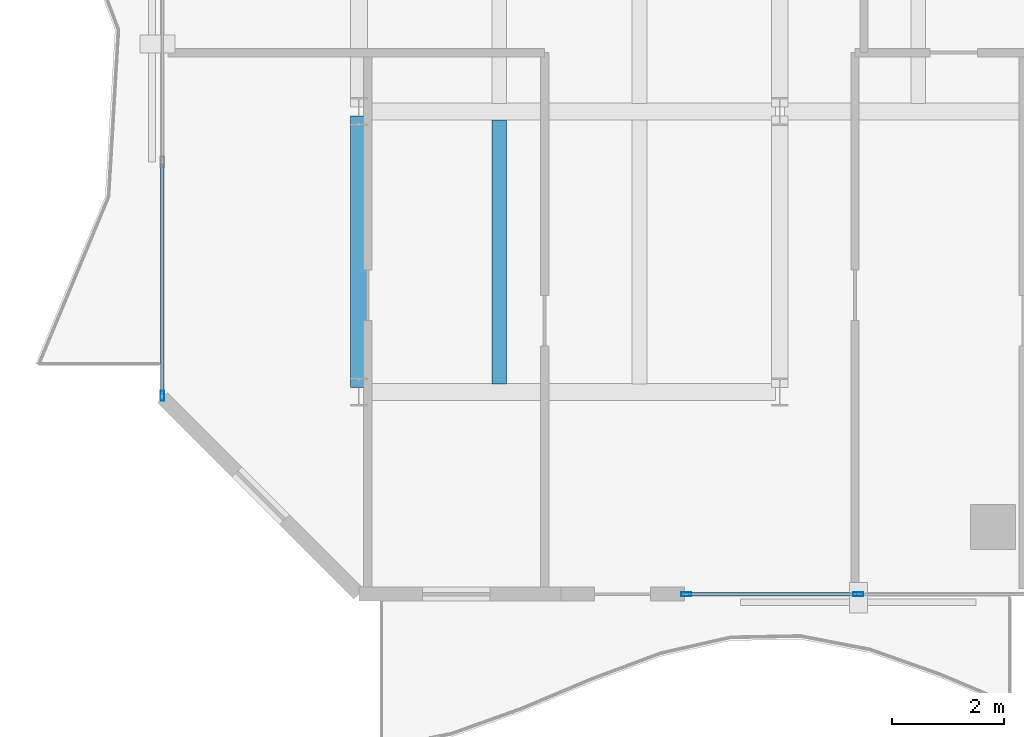
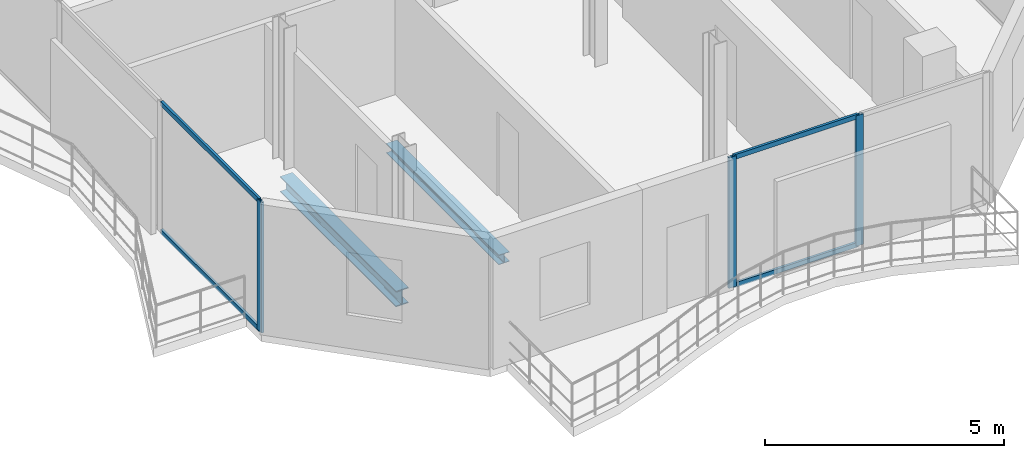
# One storey, part 3 of 23: 7 members, 2 beams, 2 elements without a shape of their own.
"""IFC4 building model written with IfcOpenShell, lengths in metres."""

from ifc_helpers import new_model, si_unit, direction, frame, origin, origin_2d, place, context, subcontext, project, spatial, hollow_rectangle, i_section, extrude, material, layer, layer_set, material_profile, profile_set, type_object, element, aggregate, save


model = new_model("IFC4")

# Units and contexts
model_context = context("Model", 3, precision=1e-05, world=origin(), true_north=direction((0.0, 1.0)))
body_context = subcontext(model_context, "Body", "Model", "MODEL_VIEW")
ifc_project = project(units=[si_unit("LENGTHUNIT", "METRE"), si_unit("AREAUNIT", "SQUARE_METRE"), si_unit("VOLUMEUNIT", "CUBIC_METRE"), si_unit("PLANEANGLEUNIT", "RADIAN"), si_unit("MASSUNIT", "GRAM", prefix="KILO")], contexts=[model_context])

# Site, building, storey
site_placement = place(None, origin())
site = spatial("IfcSite", under=ifc_project, at=site_placement, CompositionType="ELEMENT")
building_placement = place(site_placement, origin())
building = spatial("IfcBuilding", under=site, at=building_placement, Name="Catumbela Crestline Tower", CompositionType="ELEMENT")
storey_placement = place(building_placement, frame((0.0, 0.0, 190.2)))
storey = spatial("IfcBuildingStorey", under=building, at=storey_placement, Name="L49", CompositionType="ELEMENT", Elevation=190.2)

# Beams
ifc_material_1 = material(Name="Structural steel S355J2", Category="steel")
ifc_material_profile_1 = material_profile(ifc_material_1, i_section(OverallWidth=0.3, OverallDepth=0.4, WebThickness=0.0135, FlangeThickness=0.024, FilletRadius=0.027, at=origin_2d()), Name="HEB 400")
ifc_profile_set_1 = profile_set([ifc_material_profile_1], Name="Structural steel S355J2")
beam_type_1 = type_object("IfcBeamType", Name="BG-HEB400", PredefinedType="BEAM", material=ifc_profile_set_1)
beam_1_placement = place(storey_placement, frame((8.5, 8.68, -0.46), z_axis=(0.0, 1.0, 0.0), x_axis=(-1.0, 0.0, 0.0)))
element("IfcBeam", 1, at=beam_1_placement, inside=storey, type_object=beam_type_1, Name="L49 Beam BM-L49-WNS37", PredefinedType="BEAM", context=body_context, shape_type="SweptSolid", body=[
    extrude(i_section(OverallWidth=0.3, OverallDepth=0.4, WebThickness=0.0135, FlangeThickness=0.024, FilletRadius=0.027, at=origin_2d()), origin(), (0.0, 0.0, 1.0), 4.84),
])
ifc_material_profile_2 = material_profile(ifc_material_1, i_section(OverallWidth=0.26, OverallDepth=0.25, WebThickness=0.0075, FlangeThickness=0.0125, FilletRadius=0.024, at=origin_2d()), Name="HEA 260")
ifc_profile_set_2 = profile_set([ifc_material_profile_2], Name="Structural steel S355J2")
beam_type_2 = type_object("IfcBeamType", Name="BJ-HEA260", PredefinedType="JOIST", material=ifc_profile_set_2)
beam_2_placement = place(storey_placement, frame((11.0, 8.747, -0.385), z_axis=(0.0, 1.0, 0.0), x_axis=(-1.0, 0.0, 0.0)))
element("IfcBeam", 2, at=beam_2_placement, inside=storey, type_object=beam_type_2, Name="L49 Joist JS-L49-WG44", PredefinedType="JOIST", context=body_context, shape_type="SweptSolid", body=[
    extrude(i_section(OverallWidth=0.26, OverallDepth=0.25, WebThickness=0.0075, FlangeThickness=0.0125, FilletRadius=0.024, at=origin_2d()), origin(), (0.0, 0.0, 1.0), 4.706),
])

# Curtain wall, members
ifc_material_2 = material(Name="Aluminium alloy AW-6060-T66", Category="aluminium")
ifc_layer = layer(ifc_material_2, 0.18, Name="Aluminium alloy AW-6060-T66")
ifc_layer_set = layer_set([ifc_layer], Name="Aluminium alloy AW-6060-T66")
curtain_wall_type = type_object("IfcCurtainWallType", Name="CWU-Z3", PredefinedType="USERDEFINED", material=ifc_layer_set)
curtain_wall_1_placement = place(storey_placement, origin())
curtain_wall_1 = element("IfcCurtainWall", 3, at=curtain_wall_1_placement, inside=storey, type_object=curtain_wall_type, Name="L49 Unitised Curtain Wall CW-L49-E0S2", ObjectType="UNITISED", PredefinedType="USERDEFINED")
ifc_material_profile_3 = material_profile(ifc_material_2, hollow_rectangle(XDim=0.065, YDim=0.18, WallThickness=0.004, at=origin_2d()), Name="ALU 180x65x4")
ifc_profile_set_3 = profile_set([ifc_material_profile_3], Name="Aluminium alloy AW-6060-T66")
member_type_1 = type_object("IfcMemberType", Name="MUL-180X65", PredefinedType="MULLION", material=ifc_profile_set_3)
member_1_placement = place(storey_placement, frame((14.3325, 5.0, 0.0), z_axis=(0.0, 0.0, 1.0), x_axis=(0.0, 1.0, 0.0)))
member_1 = element("IfcMember", 4, at=member_1_placement, type_object=member_type_1, Name="CWU-Z3 mullion 1", PredefinedType="MULLION", context=body_context, shape_type="SweptSolid", body=[
    extrude(hollow_rectangle(XDim=0.065, YDim=0.18, WallThickness=0.004, at=origin_2d()), origin(), (0.0, 0.0, 1.0), 3.33),
])
member_2_placement = place(storey_placement, frame((17.4, 5.0, 0.0), z_axis=(0.0, 0.0, 1.0), x_axis=(0.0, 1.0, 0.0)))
member_2 = element("IfcMember", 5, at=member_2_placement, type_object=member_type_1, Name="CWU-Z3 mullion 2", PredefinedType="MULLION", context=body_context, shape_type="SweptSolid", body=[
    extrude(hollow_rectangle(XDim=0.065, YDim=0.18, WallThickness=0.004, at=origin_2d()), origin(), (0.0, 0.0, 1.0), 3.33),
])

# Curtain wall, member
curtain_wall_2_placement = place(storey_placement, origin())
curtain_wall_2 = element("IfcCurtainWall", 6, at=curtain_wall_2_placement, inside=storey, type_object=curtain_wall_type, Name="L49 Unitised Curtain Wall CW-L49-E9S2", ObjectType="UNITISED", PredefinedType="USERDEFINED")
member_3_placement = place(storey_placement, frame((5.0, 8.5325, 0.0), z_axis=(0.0, 0.0, 1.0), x_axis=(1.0, 0.0, 0.0)))
member_3 = element("IfcMember", 7, at=member_3_placement, type_object=member_type_1, Name="CWU-Z3 mullion 7", PredefinedType="MULLION", context=body_context, shape_type="SweptSolid", body=[
    extrude(hollow_rectangle(XDim=0.065, YDim=0.18, WallThickness=0.004, at=origin_2d()), origin(), (0.0, 0.0, 1.0), 3.33),
])

# Member
ifc_material_profile_4 = material_profile(ifc_material_2, hollow_rectangle(XDim=0.06, YDim=0.12, WallThickness=0.0035, at=origin_2d()), Name="ALU 120x60x3.5")
ifc_profile_set_4 = profile_set([ifc_material_profile_4], Name="Aluminium alloy AW-6060-T66")
member_type_2 = type_object("IfcMemberType", Name="TRN-120X60", PredefinedType="USERDEFINED", material=ifc_profile_set_4)
member_4_placement = place(storey_placement, frame((14.365, 5.0, 0.03), z_axis=(1.0, 0.0, 0.0), x_axis=(0.0, 1.0, 0.0)))
member_4 = element("IfcMember", 8, at=member_4_placement, type_object=member_type_2, Name="CWU-Z3 transom 1.1", ObjectType="TRANSOM", PredefinedType="USERDEFINED", context=body_context, shape_type="SweptSolid", body=[
    extrude(hollow_rectangle(XDim=0.06, YDim=0.12, WallThickness=0.0035, at=origin_2d()), origin(), (0.0, 0.0, 1.0), 3.0025),
])

member_5_placement = place(storey_placement, frame((14.365, 5.0, 3.3), z_axis=(1.0, 0.0, 0.0), x_axis=(0.0, 1.0, 0.0)))
member_5 = element("IfcMember", 9, at=member_5_placement, type_object=member_type_2, Name="CWU-Z3 transom 1.2", ObjectType="TRANSOM", PredefinedType="USERDEFINED", context=body_context, shape_type="SweptSolid", body=[
    extrude(hollow_rectangle(XDim=0.06, YDim=0.12, WallThickness=0.0035, at=origin_2d()), origin(), (0.0, 0.0, 1.0), 3.0025),
])

aggregate(curtain_wall_1, [member_1, member_2, member_4, member_5])

member_6_placement = place(storey_placement, frame((5.0, 12.6675, 0.03), z_axis=(0.0, -1.0, 0.0), x_axis=(1.0, 0.0, 0.0)))
member_6 = element("IfcMember", 10, at=member_6_placement, type_object=member_type_2, Name="CWU-Z3 transom 6.1", ObjectType="TRANSOM", PredefinedType="USERDEFINED", context=body_context, shape_type="SweptSolid", body=[
    extrude(hollow_rectangle(XDim=0.06, YDim=0.12, WallThickness=0.0035, at=origin_2d()), origin(), (0.0, 0.0, 1.0), 4.1025),
])

member_7_placement = place(storey_placement, frame((5.0, 12.6675, 3.3), z_axis=(0.0, -1.0, 0.0), x_axis=(1.0, 0.0, 0.0)))
member_7 = element("IfcMember", 11, at=member_7_placement, type_object=member_type_2, Name="CWU-Z3 transom 6.2", ObjectType="TRANSOM", PredefinedType="USERDEFINED", context=body_context, shape_type="SweptSolid", body=[
    extrude(hollow_rectangle(XDim=0.06, YDim=0.12, WallThickness=0.0035, at=origin_2d()), origin(), (0.0, 0.0, 1.0), 4.1025),
])

aggregate(curtain_wall_2, [member_3, member_6, member_7])

save(model, "model.ifc")
